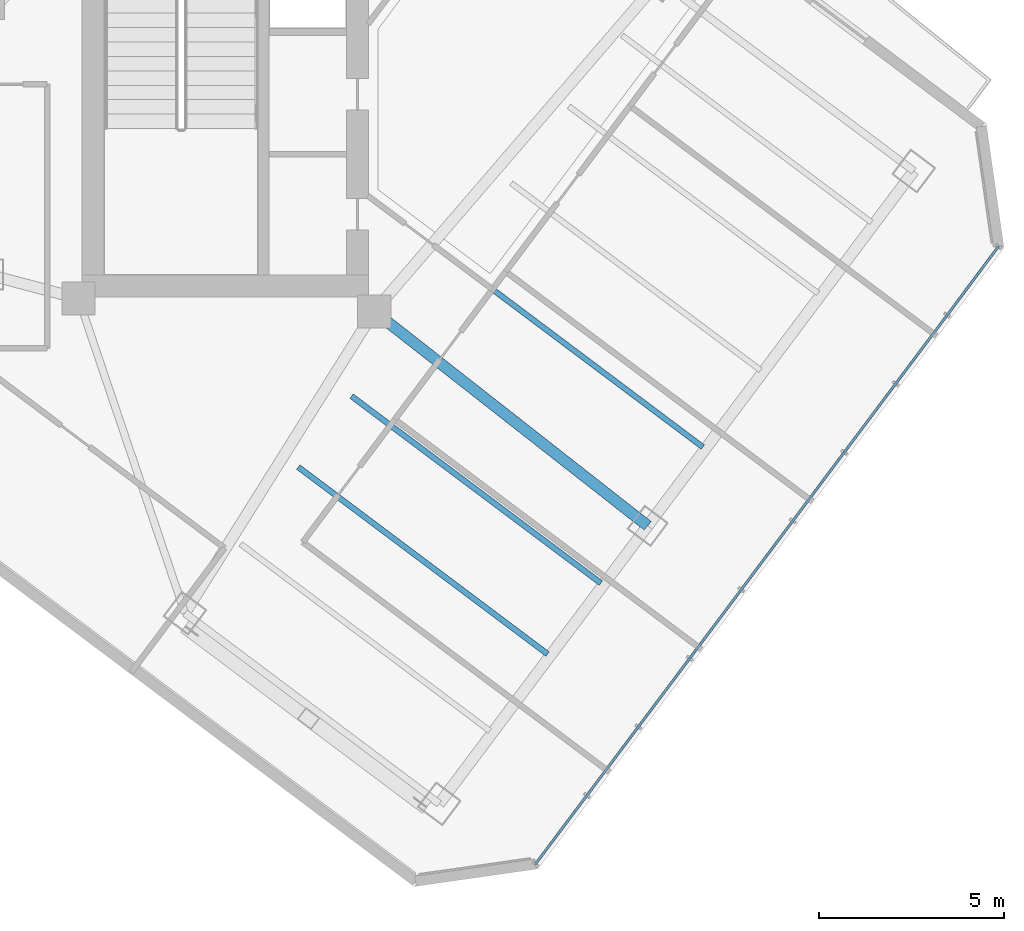
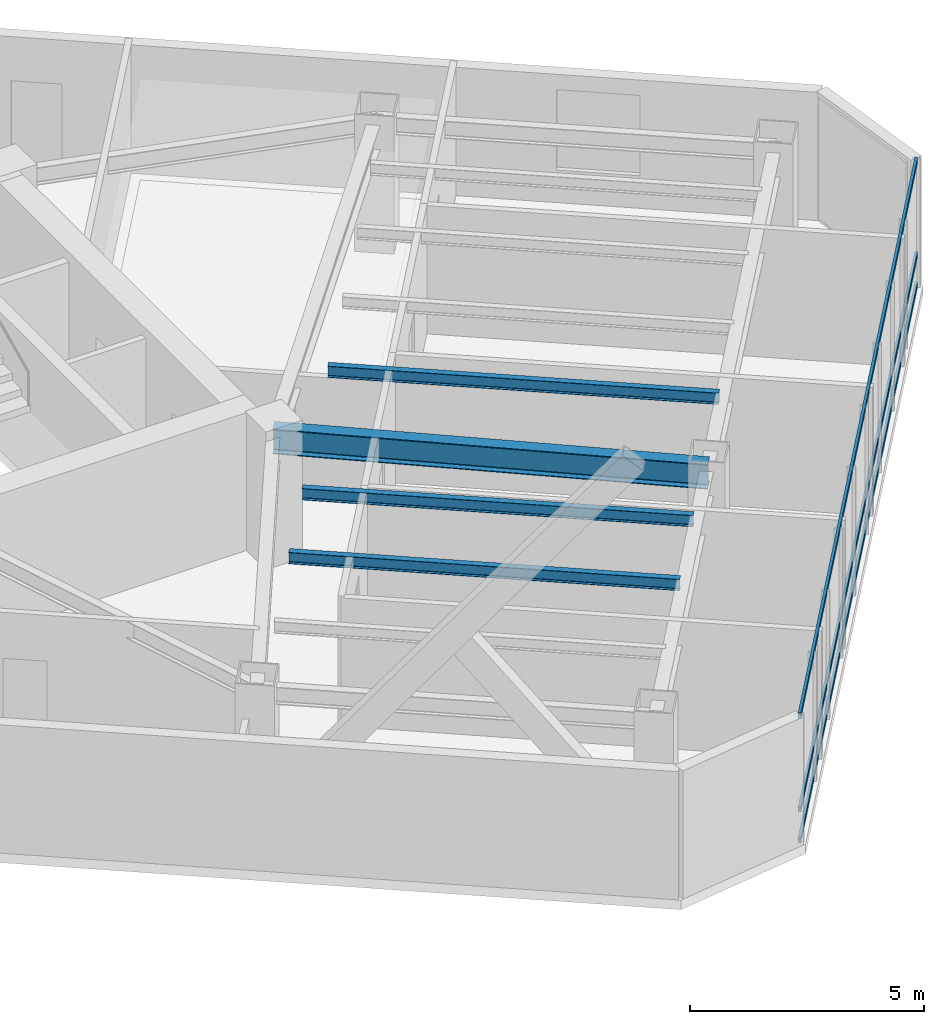
# One storey, part 12 of 27: 4 beams, 3 members, 1 element without a shape of its own.
"""IFC4 building model written with IfcOpenShell, lengths in metres."""

from ifc_helpers import new_model, si_unit, direction, frame, origin, origin_2d, place, context, subcontext, project, spatial, hollow_rectangle, i_section, extrude, material, layer, layer_set, material_profile, profile_set, type_object, element, aggregate, save


model = new_model("IFC4")

# Units and contexts
model_context = context("Model", 3, precision=1e-05, world=origin(), true_north=direction((0.0, 1.0)))
body_context = subcontext(model_context, "Body", "Model", "MODEL_VIEW")
ifc_project = project(units=[si_unit("LENGTHUNIT", "METRE"), si_unit("AREAUNIT", "SQUARE_METRE"), si_unit("VOLUMEUNIT", "CUBIC_METRE"), si_unit("PLANEANGLEUNIT", "RADIAN"), si_unit("MASSUNIT", "GRAM", prefix="KILO")], contexts=[model_context])

# Site, building, storey
site_placement = place(None, origin())
site = spatial("IfcSite", under=ifc_project, at=site_placement, CompositionType="ELEMENT")
building_placement = place(site_placement, origin())
building = spatial("IfcBuilding", under=site, at=building_placement, Name="Hatsunagi Terrace Concourse", CompositionType="ELEMENT")
storey_placement = place(building_placement, frame((0.0, 0.0, 145.64990234375)))
storey = spatial("IfcBuildingStorey", under=building, at=storey_placement, Name="L38", CompositionType="ELEMENT", Elevation=145.64990234375)

# Curtain wall, members
ifc_material_1 = material(Name="Anodised Aluminium Alloy 6063-T5", Category="aluminium")
ifc_layer = layer(ifc_material_1, 0.199951171875)
ifc_layer_set = layer_set([ifc_layer], Name="OfficeZone1_CW03")
curtain_wall_type = type_object("IfcCurtainWallType", Name="OfficeZone1_CW03", PredefinedType="NOTDEFINED", material=ifc_layer_set)
curtain_wall_placement = place(storey_placement, origin())
curtain_wall = element("IfcCurtainWall", 1, at=curtain_wall_placement, inside=storey, type_object=curtain_wall_type, Name="Unitised Curtain Wall CW-03 CW-L38-03", PredefinedType="NOTDEFINED")
ifc_material_2 = material(Name="Anodised Aluminium Alloy 6063-T5", Category="aluminium")
ifc_material_profile_1 = material_profile(ifc_material_2, hollow_rectangle(XDim=0.06494140625, YDim=0.139892578125, WallThickness=0.00390625, at=origin_2d()), Name="ALU-TRN-140x65x4")
ifc_profile_set_1 = profile_set([ifc_material_profile_1], Name="Anodised Aluminium Alloy 6063-T5")
member_type = type_object("IfcMemberType", Name="CurtainWallTransom_140x65", PredefinedType="USERDEFINED", material=ifc_profile_set_1)
member_1_placement = place(storey_placement, frame((60.693115234375, 25.9580078125, 0.050048828125), z_axis=(-0.599970072971, -0.800022444397, 0.0), x_axis=(0.800022444397, -0.599970072971, 0.0)))
member_1 = element("IfcMember", 2, at=member_1_placement, type_object=member_type, Name="Curtain Wall Transom TRN-02", ObjectType="TRANSOM", PredefinedType="USERDEFINED", context=body_context, shape_type="SweptSolid", body=[
    extrude(hollow_rectangle(XDim=0.06494140625, YDim=0.139892578125, WallThickness=0.00390625, at=origin_2d()), origin(), (0.0, 0.0, 1.0), 20.884521484375),
])
member_2_placement = place(storey_placement, frame((60.693115234375, 25.9580078125, 0.85009765625), z_axis=(-0.599970072971, -0.800022444397, 0.0), x_axis=(0.800022444397, -0.599970072971, 0.0)))
member_2 = element("IfcMember", 3, at=member_2_placement, type_object=member_type, Name="Curtain Wall Transom TRN-02", ObjectType="TRANSOM", PredefinedType="USERDEFINED", context=body_context, shape_type="SweptSolid", body=[
    extrude(hollow_rectangle(XDim=0.06494140625, YDim=0.139892578125, WallThickness=0.00390625, at=origin_2d()), origin(), (0.0, 0.0, 1.0), 20.884521484375),
])
member_3_placement = place(storey_placement, frame((60.693115234375, 25.9580078125, 3.300048828125), z_axis=(-0.599970072971, -0.800022444397, 0.0), x_axis=(0.800022444397, -0.599970072971, 0.0)))
member_3 = element("IfcMember", 4, at=member_3_placement, type_object=member_type, Name="Curtain Wall Transom TRN-02", ObjectType="TRANSOM", PredefinedType="USERDEFINED", context=body_context, shape_type="SweptSolid", body=[
    extrude(hollow_rectangle(XDim=0.06494140625, YDim=0.139892578125, WallThickness=0.00390625, at=origin_2d()), origin(), (0.0, 0.0, 1.0), 20.884521484375),
])
aggregate(curtain_wall, [member_1, member_2, member_3])

# Beams
ifc_material_3 = material(Name="Steel SN490B", Category="steel")
ifc_material_profile_2 = material_profile(ifc_material_3, i_section(OverallWidth=0.14990234375, OverallDepth=0.300048828125, WebThickness=0.006591796875, FlangeThickness=0.009033203125, FilletRadius=0.010986328125, at=origin_2d()), Name="H-300x150x6.5x9")
ifc_profile_set_2 = profile_set([ifc_material_profile_2], Name="Steel SN490B")
beam_type_1 = type_object("IfcBeamType", Name="OfficeJoist_H_300x150", PredefinedType="JOIST", material=ifc_profile_set_2)
for number, where, z_axis, x_axis, name in (
    (5, (41.748046875, 19.989013671875, 3.2001953125), (0.799989573921, -0.600013901187, 0.0), (0.600013901187, 0.799989573921, 0.0), "Beam J-03 J-L38-SE-2-72"),
    (6, (43.18798828125, 21.908935546875, 3.2001953125), (0.800003475366, -0.59999536615, 0.0), (0.59999536615, 0.800003475366, 0.0), "Beam J-03 J-L38-SE-2-96"),
    (7, (45.947998046875, 25.589111328125, 3.2001953125), (0.799989573921, -0.600013901187, 0.0), (0.600013901187, 0.799989573921, 0.0), "Beam J-03 J-L38-SE-2-142"),
):
    element("IfcBeam", number, at=place(storey_placement, frame(where, z_axis=z_axis, x_axis=x_axis)), inside=storey, type_object=beam_type_1, Name=name, PredefinedType="JOIST", context=body_context, shape_type="SweptSolid", body=[
        extrude(i_section(OverallWidth=0.14990234375, OverallDepth=0.300048828125, WebThickness=0.006591796875, FlangeThickness=0.009033203125, FilletRadius=0.010986328125, at=origin_2d()), origin(), (0.0, 0.0, 1.0), 8.429931640625),
    ])
ifc_material_4 = material(Name="Steel SN490B", Category="steel")
ifc_material_profile_3 = material_profile(ifc_material_4, i_section(OverallWidth=0.300048828125, OverallDepth=0.64990234375, WebThickness=0.012939453125, FlangeThickness=0.02197265625, FilletRadius=0.01806640625, at=origin_2d()), Name="H-650x300x13x22")
ifc_profile_set_3 = profile_set([ifc_material_profile_3], Name="Steel SN490B")
beam_type_2 = type_object("IfcBeamType", Name="OfficeLowGirder_H_650x300", PredefinedType="BEAM", material=ifc_profile_set_3)
beam_placement = place(storey_placement, frame((43.800048828125, 24.199951171875, 3.025146484375), z_axis=(0.787049441068, -0.616889923175, 0.0), x_axis=(0.616889923175, 0.787049441068, 0.0)))
element("IfcBeam", 8, at=beam_placement, inside=storey, type_object=beam_type_2, Name="Beam G-05 BM-L38-SE-M2", PredefinedType="BEAM", context=body_context, shape_type="SweptSolid", body=[
    extrude(i_section(OverallWidth=0.300048828125, OverallDepth=0.64990234375, WebThickness=0.012939453125, FlangeThickness=0.02197265625, FilletRadius=0.01806640625, at=origin_2d()), origin(), (0.0, 0.0, 1.0), 9.402099609375),
])

save(model, "model.ifc")
